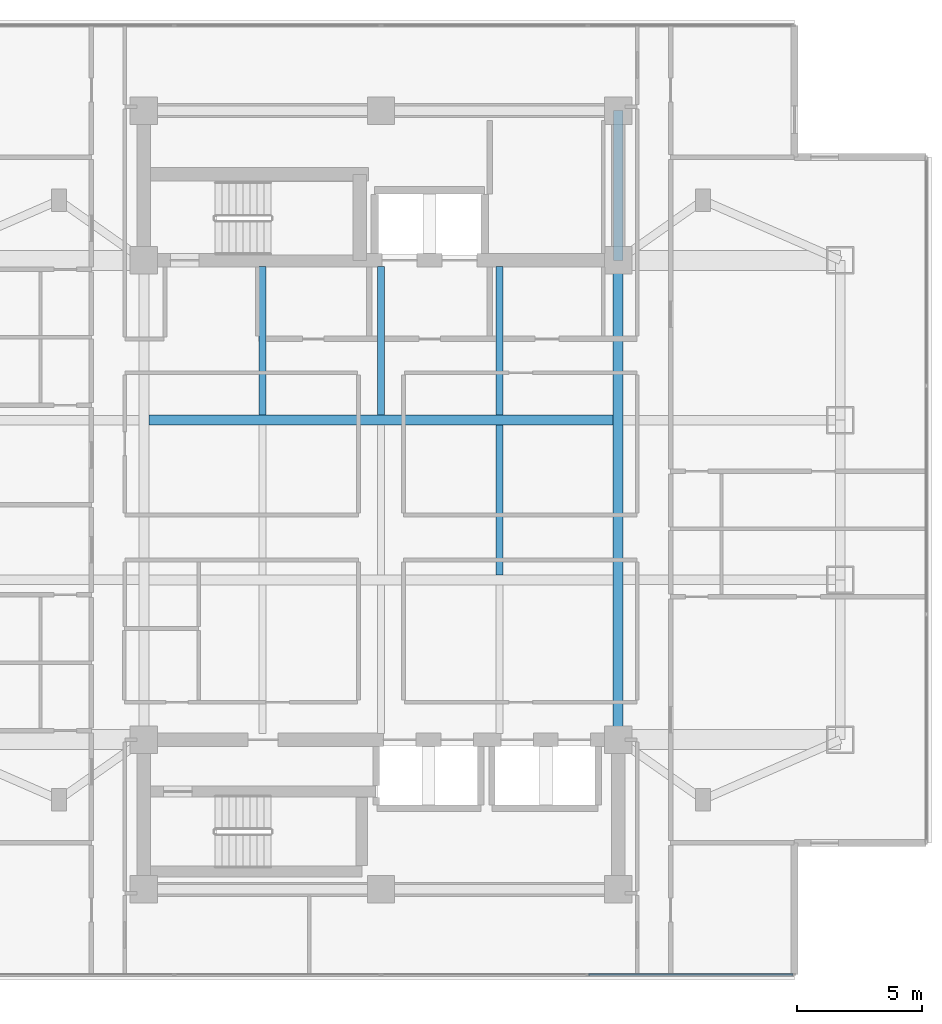
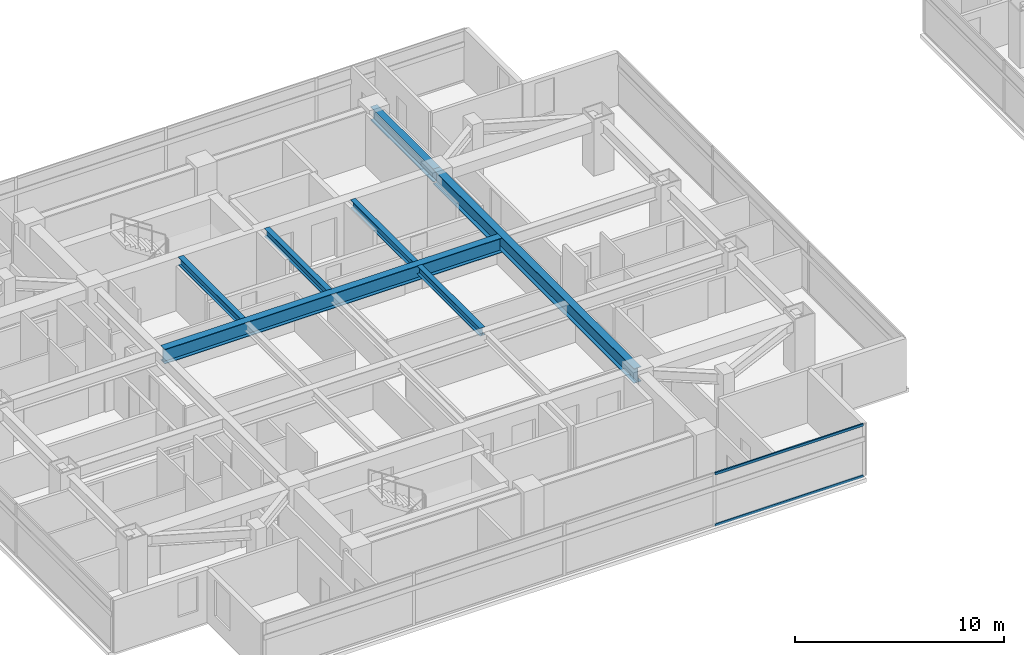
# One storey, part 4 of 24: 7 beams, 2 members, 1 element without a shape of its own.
"""IFC4 building model written with IfcOpenShell, lengths in metres."""

from ifc_helpers import new_model, si_unit, direction, frame, origin, origin_2d, place, context, subcontext, project, spatial, rectangle, i_section, extrude, material, material_profile, profile_set, type_object, element, aggregate, save


model = new_model("IFC4")

# Units and contexts
model_context = context("Model", 3, precision=1e-05, world=origin(), true_north=direction((0.0, 1.0)))
body_context = subcontext(model_context, "Body", "Model", "MODEL_VIEW")
ifc_project = project(units=[si_unit("LENGTHUNIT", "METRE"), si_unit("AREAUNIT", "SQUARE_METRE"), si_unit("VOLUMEUNIT", "CUBIC_METRE"), si_unit("PLANEANGLEUNIT", "RADIAN"), si_unit("MASSUNIT", "GRAM", prefix="KILO")], contexts=[model_context])

# Site, building, storey
site_placement = place(None, origin())
site = spatial("IfcSite", under=ifc_project, at=site_placement, CompositionType="ELEMENT")
building_placement = place(site_placement, origin())
building = spatial("IfcBuilding", under=site, at=building_placement, Name="Mirazonda Arch Towers", CompositionType="ELEMENT")
storey_placement = place(building_placement, frame((0.0, 0.0, 141.199951171875)))
storey = spatial("IfcBuildingStorey", under=building, at=storey_placement, Name="L40", CompositionType="ELEMENT", Elevation=141.199951171875)

# Beams
ifc_material_1 = material(Name="Steel ASTM A992 Grade 50", Category="steel")
ifc_material_profile_1 = material_profile(ifc_material_1, i_section(OverallWidth=0.280029296875, OverallDepth=0.462890625, WebThickness=0.0107421875, FlangeThickness=0.017333984375, at=origin_2d()), Name="W18X76")
ifc_profile_set_1 = profile_set([ifc_material_profile_1], Name="Steel ASTM A992 Grade 50")
beam_type_1 = type_object("IfcBeamType", Name="BM-INT-W18X76", PredefinedType="JOIST", material=ifc_profile_set_1)
for number, where, z_axis, x_axis, name in (
    (1, (15.75, 31.39599609375, 2.8486328125), (0.0, 1.0, 0.0), (-1.0, 0.0, 0.0), "L40 Floor Beam BM-T1-L40-J-157-31"),
    (2, (20.5, 31.39599609375, 2.8486328125), (0.0, 1.0, 0.0), (-1.0, 0.0, 0.0), "L40 Floor Beam BM-T1-L40-J-205-31"),
    (3, (25.25, 31.39599609375, 2.8486328125), (0.0, 1.0, 0.0), (-1.0, 0.0, 0.0), "L40 Floor Beam BM-T1-L40-J-252-31"),
):
    element("IfcBeam", number, at=place(storey_placement, frame(where, z_axis=z_axis, x_axis=x_axis)), inside=storey, type_object=beam_type_1, Name=name, PredefinedType="JOIST", context=body_context, shape_type="SweptSolid", body=[
        extrude(i_section(OverallWidth=0.280029296875, OverallDepth=0.462890625, WebThickness=0.0107421875, FlangeThickness=0.017333984375, at=origin_2d()), origin(), (0.0, 0.0, 1.0), 5.964111328125),
    ])
beam_1_placement = place(storey_placement, frame((25.25, 24.99609375, 2.8486328125), z_axis=(0.0, 1.0, 0.0), x_axis=(-1.0, 0.0, 0.0)))
element("IfcBeam", 4, at=beam_1_placement, inside=storey, type_object=beam_type_1, Name="L40 Floor Beam BM-T1-L40-J-252-24", PredefinedType="JOIST", context=body_context, shape_type="SweptSolid", body=[
    extrude(i_section(OverallWidth=0.280029296875, OverallDepth=0.462890625, WebThickness=0.0107421875, FlangeThickness=0.017333984375, at=origin_2d()), origin(), (0.0, 0.0, 1.0), 6.0078125),
])
ifc_material_profile_2 = material_profile(ifc_material_1, i_section(OverallWidth=0.381103515625, OverallDepth=0.77294921875, WebThickness=0.0166015625, FlangeThickness=0.027099609375, at=origin_2d()), Name="W30X173")
ifc_profile_set_2 = profile_set([ifc_material_profile_2], Name="Steel ASTM A992 Grade 50")
beam_type_2 = type_object("IfcBeamType", Name="BM-INT-W30X173", PredefinedType="USERDEFINED", material=ifc_profile_set_2)
beam_2_placement = place(storey_placement, frame((30.0, 37.60009765625, 2.693603515625), z_axis=(0.0, 1.0, 0.0), x_axis=(-1.0, 0.0, 0.0)))
element("IfcBeam", 5, at=beam_2_placement, inside=storey, type_object=beam_type_2, Name="L40 Floor Beam BM-T1-L40-CNE", ObjectType="GIRDER", PredefinedType="USERDEFINED", context=body_context, shape_type="SweptSolid", body=[
    extrude(i_section(OverallWidth=0.381103515625, OverallDepth=0.77294921875, WebThickness=0.0166015625, FlangeThickness=0.027099609375, at=origin_2d()), origin(), (0.0, 0.0, 1.0), 6.0),
])
ifc_material_profile_3 = material_profile(ifc_material_1, i_section(OverallWidth=0.39990234375, OverallDepth=0.85595703125, WebThickness=0.018310546875, FlangeThickness=0.029296875, at=origin_2d()), Name="W33X201")
ifc_profile_set_3 = profile_set([ifc_material_profile_3], Name="Steel ASTM A992 Grade 50")
beam_type_3 = type_object("IfcBeamType", Name="BM-INT-W33X201", PredefinedType="USERDEFINED", material=ifc_profile_set_3)
beam_3_placement = place(storey_placement, frame((11.199951171875, 31.199951171875, 2.652099609375), z_axis=(1.0, 0.0, 0.0), x_axis=(0.0, 1.0, 0.0)))
element("IfcBeam", 6, at=beam_3_placement, inside=storey, type_object=beam_type_3, Name="L40 Floor Beam BM-T1-L40-GC3", ObjectType="GIRDER", PredefinedType="USERDEFINED", context=body_context, shape_type="SweptSolid", body=[
    extrude(i_section(OverallWidth=0.39990234375, OverallDepth=0.85595703125, WebThickness=0.018310546875, FlangeThickness=0.029296875, at=origin_2d()), origin(), (0.0, 0.0, 1.0), 18.60009765625),
])
beam_4_placement = place(storey_placement, frame((30.0, 18.39990234375, 2.652099609375), z_axis=(0.0, 1.0, 0.0), x_axis=(-1.0, 0.0, 0.0)))
element("IfcBeam", 7, at=beam_4_placement, inside=storey, type_object=beam_type_3, Name="L40 Floor Beam BM-T1-L40-NS-CE-FULL", ObjectType="GIRDER", PredefinedType="USERDEFINED", context=body_context, shape_type="SweptSolid", body=[
    extrude(i_section(OverallWidth=0.39990234375, OverallDepth=0.85595703125, WebThickness=0.018310546875, FlangeThickness=0.029296875, at=origin_2d()), origin(), (0.0, 0.0, 1.0), 19.2001953125),
])

# Curtain wall, members
ifc_material_2 = material(Name="Anodised Aluminium and Low-E Glass", Category="aluminium")
curtain_wall_type = type_object("IfcCurtainWallType", Name="CW-HTL-UNIT", PredefinedType="NOTDEFINED", material=ifc_material_2)
curtain_wall_placement = place(storey_placement, origin())
curtain_wall = element("IfcCurtainWall", 8, at=curtain_wall_placement, inside=storey, type_object=curtain_wall_type, Name="L40 T1 S Facade CW-L40-T1-S", PredefinedType="NOTDEFINED")
ifc_material_3 = material(Name="Anodised Aluminium Alloy", Category="aluminium")
ifc_material_profile_4 = material_profile(ifc_material_3, rectangle(XDim=0.074951171875, YDim=0.14501953125, at=origin_2d()), Name="ALU-TRAN-75x145")
ifc_profile_set_4 = profile_set([ifc_material_profile_4], Name="Anodised Aluminium Alloy")
member_type = type_object("IfcMemberType", Name="TRAN-CW-HTL-UNIT", PredefinedType="USERDEFINED", material=ifc_profile_set_4)
member_1_placement = place(storey_placement, frame((36.9951171875, 8.993896484375, 0.03759765625), z_axis=(-1.0, 0.0, 0.0), x_axis=(0.0, -1.0, 0.0)))
member_1 = element("IfcMember", 9, at=member_1_placement, type_object=member_type, Name="CW-112 transom 1.1", ObjectType="TRANSOM", PredefinedType="USERDEFINED", context=body_context, shape_type="SweptSolid", body=[
    extrude(rectangle(XDim=0.074951171875, YDim=0.14501953125, at=origin_2d()), origin(), (0.0, 0.0, 1.0), 8.172607421875),
])
member_2_placement = place(storey_placement, frame((36.9951171875, 8.993896484375, 3.0224609375), z_axis=(-1.0, 0.0, 0.0), x_axis=(0.0, -1.0, 0.0)))
member_2 = element("IfcMember", 10, at=member_2_placement, type_object=member_type, Name="CW-112 transom 1.2", ObjectType="TRANSOM", PredefinedType="USERDEFINED", context=body_context, shape_type="SweptSolid", body=[
    extrude(rectangle(XDim=0.074951171875, YDim=0.14501953125, at=origin_2d()), origin(), (0.0, 0.0, 1.0), 8.172607421875),
])
aggregate(curtain_wall, [member_1, member_2])

save(model, "model.ifc")
